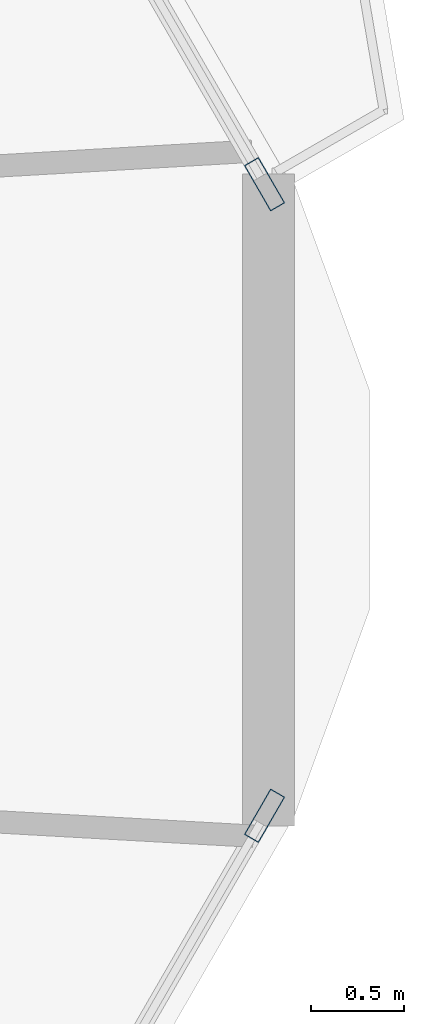
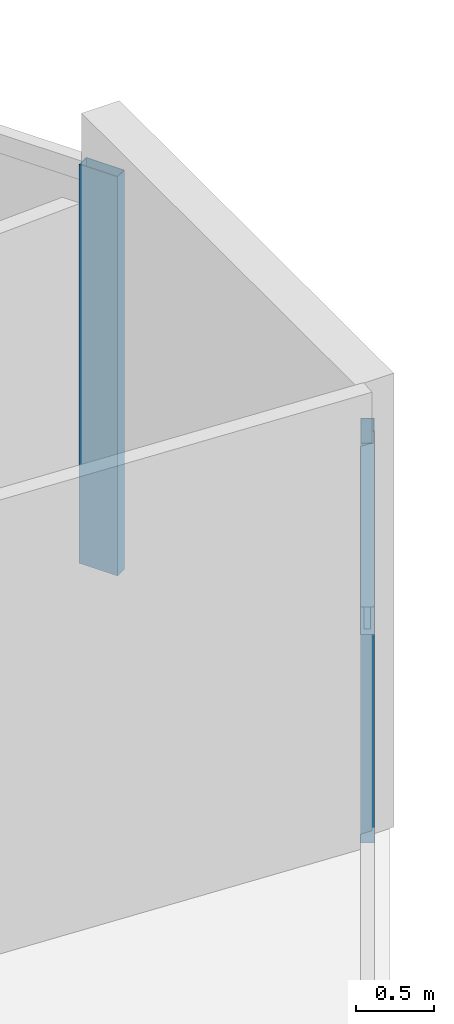
# One storey, part 22 of 32: 2 members, 2 elements without a shape of their own.
"""IFC4 building model written with IfcOpenShell, lengths in metres."""

from ifc_helpers import new_model, si_unit, direction, frame, origin, origin_2d, place, context, subcontext, project, spatial, hollow_rectangle, extrude, material, material_profile, profile_set, type_object, element, aggregate, save


model = new_model("IFC4")

# Units and contexts
model_context = context("Model", 3, precision=1e-05, world=origin(), true_north=direction((0.0, 1.0)))
body_context = subcontext(model_context, "Body", "Model", "MODEL_VIEW")
ifc_project = project(units=[si_unit("LENGTHUNIT", "METRE"), si_unit("AREAUNIT", "SQUARE_METRE"), si_unit("VOLUMEUNIT", "CUBIC_METRE"), si_unit("PLANEANGLEUNIT", "RADIAN"), si_unit("MASSUNIT", "GRAM", prefix="KILO")], contexts=[model_context])

# Site, building, storey
site_placement = place(None, origin())
site = spatial("IfcSite", under=ifc_project, at=site_placement, CompositionType="ELEMENT")
building_placement = place(site_placement, origin())
building = spatial("IfcBuilding", under=site, at=building_placement, Name="Zuhravey Tower", CompositionType="ELEMENT")
storey_placement = place(building_placement, frame((0.0, 0.0, 111.39990234375)))
storey = spatial("IfcBuildingStorey", under=building, at=storey_placement, Name="L27", CompositionType="ELEMENT", Elevation=111.39990234375)

# Curtain wall, member
ifc_material_1 = material(Name="Thermally broken anodised aluminium", Category="aluminium")
curtain_wall_type = type_object("IfcCurtainWallType", Name="Zone 1-2 Residential Curtain Wall CW3", PredefinedType="NOTDEFINED", material=ifc_material_1)
curtain_wall_1_placement = place(storey_placement, origin())
curtain_wall_1 = element("IfcCurtainWall", 1, at=curtain_wall_1_placement, inside=storey, type_object=curtain_wall_type, Name="L27 CW3 CW-L27-F6-1", PredefinedType="NOTDEFINED")
ifc_material_2 = material(Name="Anodised aluminium", Category="aluminium")
ifc_material_profile = material_profile(ifc_material_2, hollow_rectangle(XDim=0.090087890625, YDim=0.284912109375, WallThickness=0.0048828125, at=origin_2d()), Name="ALU-RHS-90x285x5")
ifc_profile_set = profile_set([ifc_material_profile], Name="Anodised aluminium")
member_type = type_object("IfcMemberType", Name="Curtain-Wall Mullion 90x180", PredefinedType="MULLION", material=ifc_profile_set)
member_1_placement = place(storey_placement, frame((68.4560546875, 30.298583984375, 0.0), z_axis=(0.0, 0.0, 1.0), x_axis=(0.86602552265, -0.499999794119, 0.0)))
member_1 = element("IfcMember", 2, at=member_1_placement, type_object=member_type, Name="CW3 mullion 1", PredefinedType="MULLION", context=body_context, shape_type="SweptSolid", body=[
    extrude(hollow_rectangle(XDim=0.090087890625, YDim=0.284912109375, WallThickness=0.0048828125, at=origin_2d()), origin(), (0.0, 0.0, 1.0), 3.1220703125),
])
aggregate(curtain_wall_1, [member_1])

curtain_wall_2_placement = place(storey_placement, origin())
curtain_wall_2 = element("IfcCurtainWall", 3, at=curtain_wall_2_placement, inside=storey, type_object=curtain_wall_type, Name="L27 CW3 CW-L27-F1-2", PredefinedType="NOTDEFINED")
member_2_placement = place(storey_placement, frame((68.4560546875, 33.701416015625, 0.0), z_axis=(0.0, 0.0, 1.0), x_axis=(0.866024583714, 0.500001420401, 0.0)))
member_2 = element("IfcMember", 4, at=member_2_placement, type_object=member_type, Name="CW3 mullion 3", PredefinedType="MULLION", context=body_context, shape_type="SweptSolid", body=[
    extrude(hollow_rectangle(XDim=0.090087890625, YDim=0.284912109375, WallThickness=0.0048828125, at=origin_2d()), origin(), (0.0, 0.0, 1.0), 3.1220703125),
])
aggregate(curtain_wall_2, [member_2])

save(model, "model.ifc")
